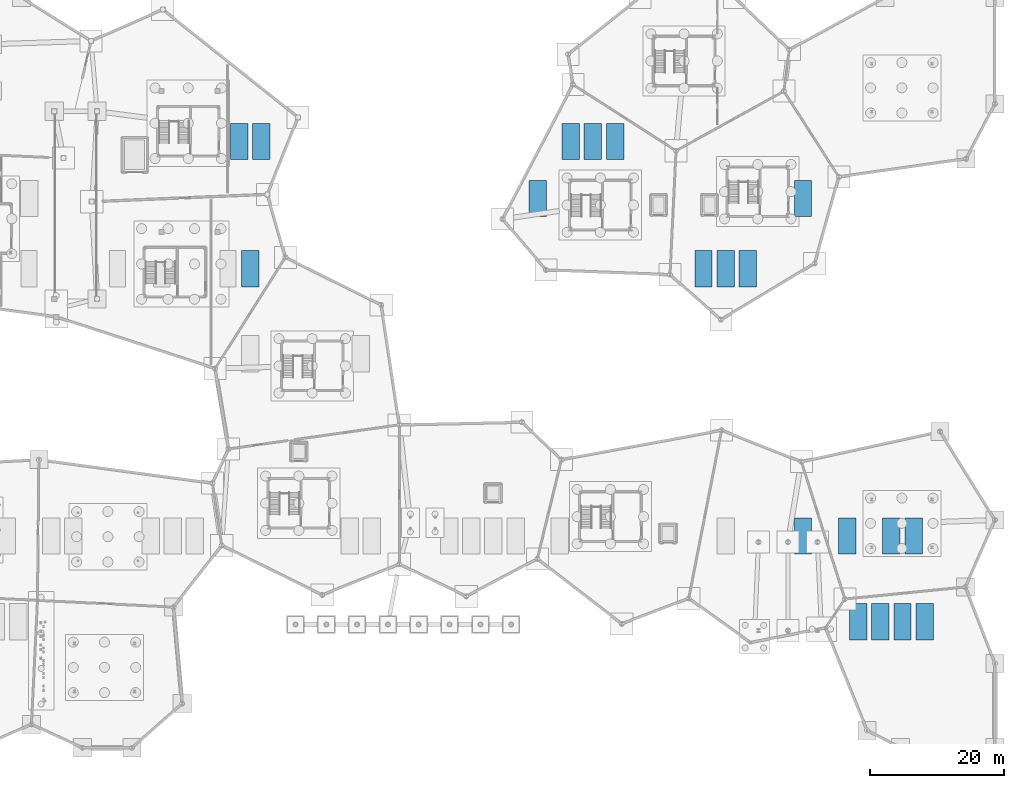
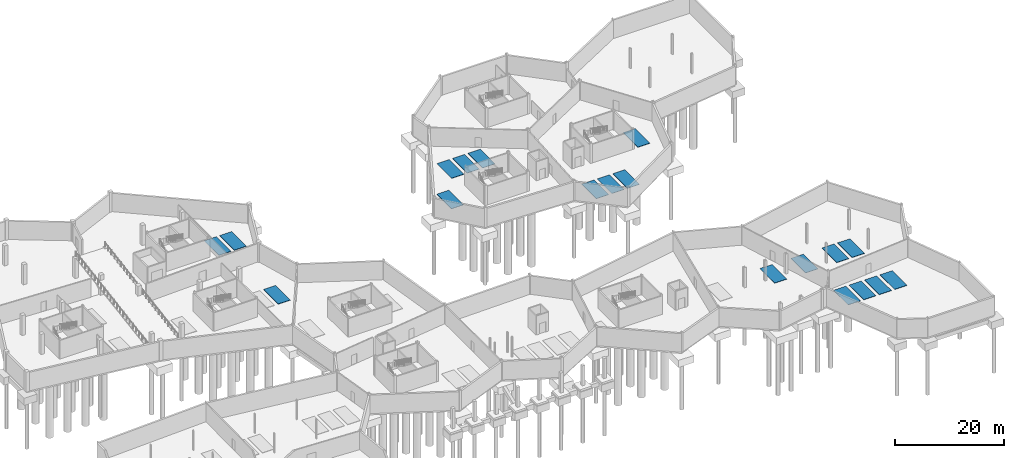
# One storey, part 34 of 37: 19 discrete accessories.
"""IFC4 building model written with IfcOpenShell, lengths in metres."""

from ifc_helpers import new_model, si_unit, direction, frame, origin, origin_2d, place, context, subcontext, project, spatial, rectangle, extrude, material, type_object, element, save


model = new_model("IFC4")

# Units and contexts
model_context = context("Model", 3, precision=1e-05, world=origin(), true_north=direction((0.0, 1.0)))
body_context = subcontext(model_context, "Body", "Model", "MODEL_VIEW")
ifc_project = project(units=[si_unit("LENGTHUNIT", "METRE"), si_unit("AREAUNIT", "SQUARE_METRE"), si_unit("VOLUMEUNIT", "CUBIC_METRE"), si_unit("PLANEANGLEUNIT", "RADIAN"), si_unit("MASSUNIT", "GRAM", prefix="KILO")], contexts=[model_context])

# Site, building, storey
site_placement = place(None, origin())
site = spatial("IfcSite", under=ifc_project, at=site_placement, CompositionType="ELEMENT")
building_placement = place(site_placement, origin())
building = spatial("IfcBuilding", under=site, at=building_placement, Name="Tameran Prism Museum", CompositionType="ELEMENT")
storey_placement = place(building_placement, frame((0.0, 0.0, -4.5)))
storey = spatial("IfcBuildingStorey", under=building, at=storey_placement, Name="B1", CompositionType="ELEMENT", Elevation=-4.5)

# Discrete accessories
ifc_material = material(Name="Thermoplastic Coated Precast Wheel Stop", Category="concrete")
discrete_accessory_type = type_object("IfcDiscreteAccessoryType", Name="DA-BAY-STD", PredefinedType="USERDEFINED", material=ifc_material)
for number, where, z_axis, x_axis, name in (
    (1, (55.25, 71.5, 0.0), (0.0, 0.0, 1.0), (1.0, 0.0, 0.0), "Visitor Parking Bay Marking PB-01"),
    (2, (122.89990234375, 71.5, 0.0), (0.0, 0.0, 1.0), (1.0, 0.0, 0.0), "Visitor Parking Bay Marking PB-02"),
    (3, (126.199951171875, 71.5, 0.0), (0.0, 0.0, 1.0), (1.0, 0.0, 0.0), "Visitor Parking Bay Marking PB-03"),
    (4, (129.5, 71.5, 0.0), (0.0, 0.0, 1.0), (1.0, 0.0, 0.0), "Visitor Parking Bay Marking PB-04"),
    (5, (137.75, 31.60009765625, 0.0), (0.0, 0.0, 1.0), (1.0, 0.0, 0.0), "Visitor Parking Bay Marking PB-22"),
    (6, (144.35009765625, 31.60009765625, 0.0), (0.0, 0.0, 1.0), (1.0, 0.0, 0.0), "Visitor Parking Bay Marking PB-23"),
    (7, (150.949951171875, 31.60009765625, 0.0), (0.0, 0.0, 1.0), (1.0, 0.0, 0.0), "Visitor Parking Bay Marking PB-24"),
    (8, (154.25, 31.60009765625, 0.0), (0.0, 0.0, 1.0), (1.0, 0.0, 0.0), "Visitor Parking Bay Marking PB-25"),
    (9, (146.0, 18.800048828125, 0.0), (0.0, 0.0, 1.0), (1.0, 0.0, 0.0), "Visitor Parking Bay Marking PB-29"),
    (10, (149.300048828125, 18.800048828125, 0.0), (0.0, 0.0, 1.0), (1.0, 0.0, 0.0), "Visitor Parking Bay Marking PB-30"),
    (11, (152.60009765625, 18.800048828125, 0.0), (0.0, 0.0, 1.0), (1.0, 0.0, 0.0), "Visitor Parking Bay Marking PB-31"),
    (12, (155.89990234375, 18.800048828125, 0.0), (0.0, 0.0, 1.0), (1.0, 0.0, 0.0), "Visitor Parking Bay Marking PB-32"),
    (13, (98.14990234375, 82.0, 0.0), (0.0, 0.0, 1.0), (1.0, 0.0, 0.0), "Visitor Parking Bay Marking PB-34"),
    (14, (137.75, 82.0, 0.0), (0.0, 0.0, 1.0), (1.0, 0.0, 0.0), "Visitor Parking Bay Marking PB-35"),
    (15, (53.60009765625, 90.5, 0.0), (0.0, 0.0, 1.0), (1.0, 0.0, 0.0), "Visitor Parking Bay Marking PB-36"),
    (16, (56.89990234375, 90.5, 0.0), (0.0, 0.0, 1.0), (1.0, 0.0, 0.0), "Visitor Parking Bay Marking PB-37"),
    (17, (103.10009765625, 90.5, 0.0), (0.0, 0.0, 1.0), (1.0, 0.0, 0.0), "Visitor Parking Bay Marking PB-38"),
    (18, (106.39990234375, 90.5, 0.0), (0.0, 0.0, 1.0), (1.0, 0.0, 0.0), "Visitor Parking Bay Marking PB-39"),
    (19, (109.699951171875, 90.5, 0.0), (0.0, 0.0, 1.0), (1.0, 0.0, 0.0), "Visitor Parking Bay Marking PB-40"),
):
    element("IfcDiscreteAccessory", number, at=place(storey_placement, frame(where, z_axis=z_axis, x_axis=x_axis)), inside=storey, type_object=discrete_accessory_type, Name=name, ObjectType="PARKING BAY MARKING", PredefinedType="USERDEFINED", context=body_context, shape_type="SweptSolid", body=[
        extrude(rectangle(XDim=2.60009765625, YDim=5.39990234375, at=origin_2d()), origin(), (0.0, 0.0, 1.0), 0.080078125),
    ])

save(model, "model.ifc")
